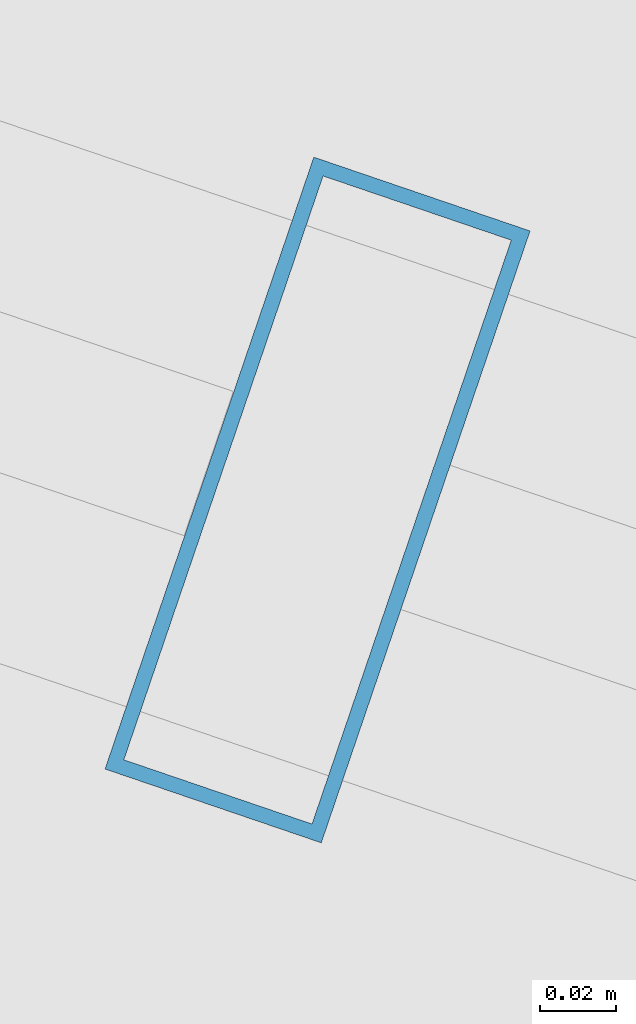
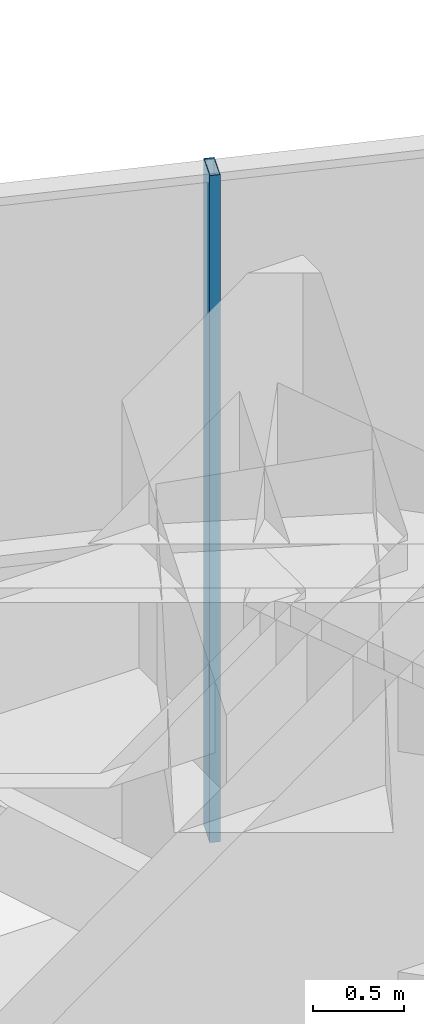
# One storey, part 26 of 36: 1 member, 1 element without a shape of its own.
"""IFC4 building model written with IfcOpenShell, lengths in metres."""

from ifc_helpers import new_model, si_unit, direction, frame, origin, origin_2d, place, context, subcontext, project, spatial, hollow_rectangle, extrude, source, transform, mapped, material, layer, layer_set, material_profile, profile_set, type_object, element, aggregate, save


model = new_model("IFC4")

# Units and contexts
model_context = context("Model", 3, precision=1e-05, world=origin(), true_north=direction((0.0, 1.0)))
body_context = subcontext(model_context, "Body", "Model", "MODEL_VIEW")
ifc_project = project(units=[si_unit("LENGTHUNIT", "METRE"), si_unit("AREAUNIT", "SQUARE_METRE"), si_unit("VOLUMEUNIT", "CUBIC_METRE"), si_unit("PLANEANGLEUNIT", "RADIAN"), si_unit("MASSUNIT", "GRAM", prefix="KILO")], contexts=[model_context])

# Site, building, storey
site_placement = place(None, origin())
site = spatial("IfcSite", under=ifc_project, at=site_placement, CompositionType="ELEMENT")
building_placement = place(site_placement, origin())
building = spatial("IfcBuilding", under=site, at=building_placement, Name="Veraguas Prism Commons", CompositionType="ELEMENT")
storey_placement = place(building_placement, frame((0.0, 0.0, 169.550048828125)))
storey = spatial("IfcBuildingStorey", under=building, at=storey_placement, Name="L48", CompositionType="ELEMENT", Elevation=169.550048828125)

# Curtain wall, member
ifc_material = material(Name="Anodised aluminium EN AW-6063 T6", Category="aluminium")
ifc_layer = layer(ifc_material, 0.169921875, Name="Unitised Flush Curtain Wall Zone 2", Category="aluminium")
ifc_layer_set = layer_set([ifc_layer], Name="Anodised aluminium EN AW-6063 T6")
curtain_wall_type = type_object("IfcCurtainWallType", Name="Unitised Flush Curtain Wall Zone 2", PredefinedType="NOTDEFINED", material=ifc_layer_set)
curtain_wall_placement = place(storey_placement, origin())
curtain_wall = element("IfcCurtainWall", 1, at=curtain_wall_placement, inside=storey, type_object=curtain_wall_type, Name="Tower Facade Curtain Wall L48-F1", PredefinedType="NOTDEFINED")
ifc_material_profile = material_profile(ifc_material, hollow_rectangle(XDim=0.06005859375, YDim=0.169921875, WallThickness=0.00390625, at=origin_2d()), Name="AL60X170X4")
ifc_profile_set = profile_set([ifc_material_profile], Name="Anodised aluminium EN AW-6063 T6")
member_type = type_object("IfcMemberType", Name="Curtain Wall Mullion Lower AL 60x170x4", PredefinedType="MULLION", material=ifc_profile_set)
shared_shape = source(origin(), body_context, "Body", "SweptSolid", [
    extrude(hollow_rectangle(XDim=0.06005859375, YDim=0.169921875, WallThickness=0.00390625, at=origin_2d()), origin(), (0.0, 0.0, 1.0), 4.47998046875),
])
member_placement = place(storey_placement, frame((30.194580078125, 42.15478515625, 0.0), z_axis=(0.0, 0.0, 1.0), x_axis=(-0.946424609155, 0.322924850679, 0.0)))
member = element("IfcMember", 2, at=member_placement, type_object=member_type, Name="CW-Z2 Mullion 3", PredefinedType="MULLION", context=body_context, shape_type="MappedRepresentation", body=[
    mapped(shared_shape, transform((0.0, 0.0, 0.0), scale=1.0)),
])
aggregate(curtain_wall, [member])

save(model, "model.ifc")
